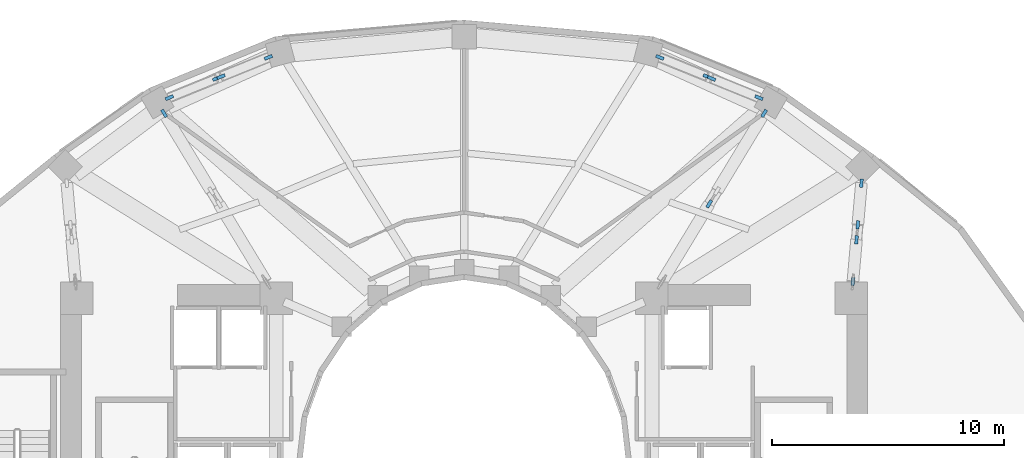
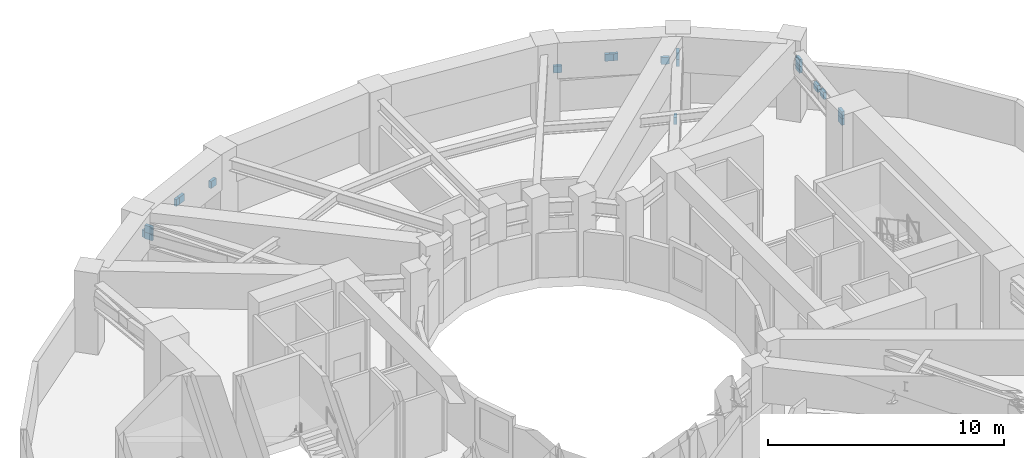
# One storey, part 7 of 10: 19 discrete accessories.
"""IFC4 building model written with IfcOpenShell, lengths in metres."""

import ifcopenshell
import ifcopenshell.guid

model = None  # the IFC model being written
_history = None  # IfcOwnerHistory: only IFC2X3 demands one
_inside = {}  # id of a spatial element -> (the spatial element, [elements in it])
_under = {}  # id of a project, library or spatial element -> (it, [spatial elements below it])
_declared = {}  # id of a project -> (the project, [libraries it declares])
_typed = {}  # id of a type object -> (the type object, [elements of that type])
_made_of = {}  # id of a material, layer set ... -> (it, [elements and type objects made of it])


def new_model(schema):
    """Start an empty IFC model of exactly this schema.

    Asked for "IFC4X3", IfcOpenShell would pick the latest addendum, in which some entities
    have other attributes; the version numbers below select the first issue.
    IFC2X3 requires an IfcOwnerHistory on every rooted entity: one is made here for all.
    """
    global model, _history
    if schema == "IFC4X3":
        model = ifcopenshell.file(schema_version=(4, 3, 0, 0))
    else:
        model = ifcopenshell.file(schema=schema)
    _inside.clear()
    _under.clear()
    _declared.clear()
    _typed.clear()
    _made_of.clear()
    _history = None
    if model.schema == "IFC2X3":
        org = make("IfcOrganization", Name="unknown")
        user = make(
            "IfcPersonAndOrganization",
            ThePerson=make("IfcPerson", FamilyName="unknown"),
            TheOrganization=org,
        )
        app = make(
            "IfcApplication",
            ApplicationDeveloper=org,
            Version="unknown",
            ApplicationFullName="unknown",
            ApplicationIdentifier="unknown",
        )
        _history = make(
            "IfcOwnerHistory",
            OwningUser=user,
            OwningApplication=app,
            ChangeAction="ADDED",
            CreationDate=0,
        )
    return model


def make(cls, **values):
    """One entity of the class cls with the attributes given. An attribute that is None is left unset."""
    return model.create_entity(
        cls, **{name: value for name, value in values.items() if value is not None}
    )


def rooted(cls, **values):
    """An entity with a GlobalId (a new one), such as an element, a storey or a relation."""
    return make(cls, GlobalId=ifcopenshell.guid.new(), OwnerHistory=_history, **values)


def si_unit(unit_type, name, prefix=None):
    """IfcSIUnit, for example si_unit("LENGTHUNIT", "METRE", prefix="MILLI")."""
    return make("IfcSIUnit", UnitType=unit_type, Prefix=prefix, Name=name)


def assignment(units):
    """IfcUnitAssignment: the units of a project."""
    return None if units is None else make("IfcUnitAssignment", Units=units)


def point(xyz):
    """IfcCartesianPoint."""
    return None if xyz is None else make("IfcCartesianPoint", Coordinates=xyz)


def direction(xyz):
    """IfcDirection."""
    return None if xyz is None else make("IfcDirection", DirectionRatios=xyz)


def frame(location, z_axis=None, x_axis=None):
    """IfcAxis2Placement3D, a coordinate frame: its origin and axes. An axis left out is left unset."""
    return make(
        "IfcAxis2Placement3D",
        Location=point(location),
        Axis=direction(z_axis),
        RefDirection=direction(x_axis),
    )


def frame_2d(location, x_axis=None):
    """IfcAxis2Placement2D, a coordinate frame in the plane: its origin and x axis."""
    return make(
        "IfcAxis2Placement2D", Location=point(location), RefDirection=direction(x_axis)
    )


def origin():
    """The frame at (0, 0, 0) with its axes left unset."""
    return frame((0.0, 0.0, 0.0))


def origin_2d():
    """The frame at (0, 0) in the plane with its x axis left unset."""
    return frame_2d((0.0, 0.0))


def place(relative_to, where):
    """IfcLocalPlacement: puts the frame where relative to a parent placement (None: the world)."""
    return make(
        "IfcLocalPlacement", PlacementRelTo=relative_to, RelativePlacement=where
    )


def context(
    kind, dimensions, precision=None, world=None, true_north=None, identifier=None
):
    """IfcGeometricRepresentationContext, for example the 3D "Model" context."""
    return make(
        "IfcGeometricRepresentationContext",
        ContextIdentifier=identifier,
        ContextType=kind,
        CoordinateSpaceDimension=dimensions,
        Precision=precision,
        WorldCoordinateSystem=world,
        TrueNorth=true_north,
    )


def subcontext(parent, identifier, kind, view, scale=None):
    """IfcGeometricRepresentationSubContext, for example "Body" below "Model"."""
    return make(
        "IfcGeometricRepresentationSubContext",
        ContextIdentifier=identifier,
        ContextType=kind,
        ParentContext=parent,
        TargetScale=scale,
        TargetView=view,
    )


def project(units=None, contexts=None):
    """IfcProject with its units and contexts."""
    return rooted(
        "IfcProject",
        Name="project",
        RepresentationContexts=contexts,
        UnitsInContext=assignment(units),
    )


def spatial(cls, under=None, at=None, **own):
    """A site, building, storey or space (cls), placed at a placement, below another one or the project."""
    s = rooted(cls, ObjectPlacement=at, **own)
    if under is not None:
        _under.setdefault(under.id(), (under, []))[1].append(s)
    return s


def profile(cls, at=None, kind="AREA", **sizes):
    """A parametric profile (cls). Its sizes go by their IFC names, for example OverallWidth=200.0."""
    return make(cls, ProfileType=kind, Position=at, **sizes)


def rectangle(**sizes):
    """IfcRectangleProfileDef."""
    return profile("IfcRectangleProfileDef", **sizes)


def extrude(swept, where, along, depth):
    """IfcExtrudedAreaSolid: the profile swept, set in the frame where, extruded along a direction by depth."""
    return make(
        "IfcExtrudedAreaSolid",
        SweptArea=swept,
        Position=where,
        ExtrudedDirection=direction(along),
        Depth=depth,
    )


def shape(context_of_items, identifier, shape_type, items):
    """IfcShapeRepresentation: the items that make up one representation, for example the "Body"."""
    return make(
        "IfcShapeRepresentation",
        ContextOfItems=context_of_items,
        RepresentationIdentifier=identifier,
        RepresentationType=shape_type,
        Items=items,
    )


def material(Name=None, Category=None):
    """IfcMaterial."""
    return make("IfcMaterial", Name=Name, Category=Category)


def layer(
    of_material, thickness, ventilated=None, Name=None, Category=None, Priority=None
):
    """IfcMaterialLayer: one layer of a wall or slab, of a material (None: an air gap)."""
    return make(
        "IfcMaterialLayer",
        Material=of_material,
        LayerThickness=thickness,
        IsVentilated=ventilated,
        Name=Name,
        Category=Category,
        Priority=Priority,
    )


def layer_set(layers, Name=None):
    """IfcMaterialLayerSet."""
    return make("IfcMaterialLayerSet", MaterialLayers=layers, LayerSetName=Name)


def made_of(thing, what):
    """Note that an element or type object is made of a material, layer set ...; save() writes the relation."""
    if what is not None:
        _made_of.setdefault(what.id(), (what, []))[1].append(thing)
    return thing


def type_object(cls, material=None, **own):
    """A type object (cls), such as IfcWallType, which elements share."""
    return made_of(rooted(cls, **own), material)


def element(
    cls,
    number,
    at=None,
    inside=None,
    cuts=None,
    type_object=None,
    material=None,
    context=None,
    identifier="Body",
    shape_type=None,
    held_by="IfcProductDefinitionShape",
    body=None,
    shapes=None,
    **own,
):
    """One element of the class cls, such as IfcWall. Its Tag is "e" and its number.

    at: its placement. inside: the storey or other place that contains it. cuts: it is an
    opening in that element (IfcRelVoidsElement). A single representation is given by context,
    identifier, shape_type and body (its items); several are given by shapes. held_by: the class
    of the entity that holds the representations. save() writes the other relations.
    """
    e = rooted(cls, Tag="e%d" % number, ObjectPlacement=at, **own)
    if body is not None:
        shapes = [shape(context, identifier, shape_type, body)]
    if shapes is not None:
        e.Representation = make(held_by, Representations=shapes)
    if inside is not None:
        _inside.setdefault(inside.id(), (inside, []))[1].append(e)
    if cuts is not None:
        rooted(
            "IfcRelVoidsElement", RelatingBuildingElement=cuts, RelatedOpeningElement=e
        )
    if type_object is not None:
        _typed.setdefault(type_object.id(), (type_object, []))[1].append(e)
    return made_of(e, material)


def aggregate(whole, parts):
    """IfcRelAggregates: a whole, such as a stair, and the parts it consists of."""
    return rooted("IfcRelAggregates", RelatingObject=whole, RelatedObjects=parts)


def save(model, path):
    """Write the relations noted so far, then the file.

    IfcRelAggregates (storeys below a building ...), IfcRelContainedInSpatialStructure (elements
    in a storey), IfcRelDefinesByType, IfcRelAssociatesMaterial and IfcRelDeclares: one each for
    every whole, place, type object, material and project.
    """
    for whole, parts in _under.values():
        aggregate(whole, parts)
    for where, things in _inside.values():
        rooted(
            "IfcRelContainedInSpatialStructure",
            RelatedElements=things,
            RelatingStructure=where,
        )
    for kind, things in _typed.values():
        rooted("IfcRelDefinesByType", RelatedObjects=things, RelatingType=kind)
    for what, things in _made_of.values():
        rooted("IfcRelAssociatesMaterial", RelatedObjects=things, RelatingMaterial=what)
    for by, libraries in _declared.values():
        rooted("IfcRelDeclares", RelatingContext=by, RelatedDefinitions=libraries)
    model.write(path)


model = new_model("IFC4")

# Units and contexts
model_context = context("Model", 3, precision=1e-05, world=origin(), true_north=direction((0.0, 1.0)))
body_context = subcontext(model_context, "Body", "Model", "MODEL_VIEW")
ifc_project = project(units=[si_unit("LENGTHUNIT", "METRE"), si_unit("AREAUNIT", "SQUARE_METRE"), si_unit("VOLUMEUNIT", "CUBIC_METRE"), si_unit("PLANEANGLEUNIT", "RADIAN"), si_unit("MASSUNIT", "GRAM", prefix="KILO")], contexts=[model_context])

# Site, building, storey
site_placement = place(None, origin())
site = spatial("IfcSite", under=ifc_project, at=site_placement, CompositionType="ELEMENT")
building_placement = place(site_placement, origin())
building = spatial("IfcBuilding", under=site, at=building_placement, Name="Solvane Sanctuary Tower", CompositionType="ELEMENT")
storey_placement = place(building_placement, frame((0.0, 0.0, 64.800048828125)))
storey = spatial("IfcBuildingStorey", under=building, at=storey_placement, Name="L19", CompositionType="ELEMENT", Elevation=64.800048828125)

# Discrete accessories
ifc_material = material(Name="Steel ASTM A572 Grade 50", Category="steel")
ifc_layer = layer(ifc_material, 0.360107421875, Name="Steel ASTM A572 Grade 50")
ifc_layer_set = layer_set([ifc_layer], Name="Steel ASTM A572 Grade 50")
discrete_accessory_type = type_object("IfcDiscreteAccessoryType", Name="Accessory ACC-GUSSET-BRK", PredefinedType="BRACKET", material=ifc_layer_set)
for number, where, z_axis, x_axis, name in (
    (1, (19.063720703125, 38.1767578125, 3.01953125), (0.0, 0.0, 1.0), (-0.518474806022, 0.855092904614, 0.0), "L19 Outrigger Truss Diagonal OW2 End Gusset Bracket B"),
    (2, (19.063720703125, 38.1767578125, 2.6796875), (0.0, 0.0, 1.0), (0.518474806022, -0.855092904614, 0.0), "L19 Outrigger Counter-Diagonal Lower Half OW2 End Gusset Bracket A"),
    (3, (48.76318359375, 30.9248046875, 2.68017578125), (0.0, 0.0, 1.0), (0.086807999895, 0.996225060493, 0.0), "L19 Outrigger Truss Diagonal OE1 End Gusset Bracket A"),
    (4, (49.13330078125, 35.16748046875, 3.0185546875), (0.0, 0.0, 1.0), (0.086807999895, 0.996225060493, 0.0), "L19 Outrigger Truss Diagonal OE1 End Gusset Bracket B"),
    (5, (49.13330078125, 35.16748046875, 2.68017578125), (0.0, 0.0, 1.0), (-0.086807999895, -0.996225060493, 0.0), "L19 Outrigger Counter-Diagonal Lower Half OE1 End Gusset Bracket A"),
    (6, (48.976318359375, 33.368896484375, 2.82373046875), (0.0, 0.0, 1.0), (-0.086807999895, -0.996225060493, 0.0), "L19 Outrigger Counter-Diagonal Lower Half OE1 End Gusset Bracket B"),
    (7, (48.919921875, 32.723388671875, 2.875), (0.0, 0.0, 1.0), (-0.086807999895, -0.996225060493, 0.0), "L19 Outrigger Counter-Diagonal Upper Half OE1 End Gusset Bracket A"),
    (8, (48.76318359375, 30.9248046875, 3.0185546875), (0.0, 0.0, 1.0), (-0.086807999895, -0.996225060493, 0.0), "L19 Outrigger Counter-Diagonal Upper Half OE1 End Gusset Bracket B"),
    (9, (44.936279296875, 38.1767578125, 3.01953125), (0.0, 0.0, 1.0), (0.518474806022, 0.855092904614, 0.0), "L19 Outrigger Truss Diagonal OE2 End Gusset Bracket B"),
    (10, (44.936279296875, 38.1767578125, 2.6796875), (0.0, 0.0, 1.0), (-0.518474806022, -0.855092904614, 0.0), "L19 Outrigger Counter-Diagonal Lower Half OE2 End Gusset Bracket A"),
    (11, (42.568603515625, 34.271484375, 2.8623046875), (0.0, 0.0, 1.0), (-0.518474806022, -0.855092904614, 0.0), "L19 Outrigger Counter-Diagonal Upper Half OE2 End Gusset Bracket A"),
    (12, (19.2880859375, 38.854248046875, 2.37060546875), (0.0, 0.0, 1.0), (0.926462953239, 0.376385967161, 0.0), "L19 Belt Truss Diagonal 06-05 End Gusset Bracket A"),
    (13, (21.328125, 39.683349609375, 2.77001953125), (0.0, 0.0, 1.0), (0.926462953239, 0.376385967161, 0.0), "L19 Belt Truss Diagonal 06-05 End Gusset Bracket B"),
    (14, (21.51953125, 39.760986328125, 2.77001953125), (0.0, 0.0, 1.0), (0.926397247385, 0.376547659716, 0.0), "L19 Belt Truss Web Strut 06-05 End Gusset Bracket A"),
    (15, (23.559814453125, 40.590087890625, 2.37060546875), (0.0, 0.0, 1.0), (0.926397247385, 0.376547659716, 0.0), "L19 Belt Truss Web Strut 06-05 End Gusset Bracket B"),
    (16, (40.440185546875, 40.590087890625, 2.37060546875), (0.0, 0.0, 1.0), (0.926397247385, -0.376547659716, 0.0), "L19 Belt Truss Diagonal 03-02 End Gusset Bracket A"),
    (17, (42.480224609375, 39.760986328125, 2.77001953125), (0.0, 0.0, 1.0), (0.926397247385, -0.376547659716, 0.0), "L19 Belt Truss Diagonal 03-02 End Gusset Bracket B"),
    (18, (42.671630859375, 39.683349609375, 2.77001953125), (0.0, 0.0, 1.0), (0.926462953239, -0.376385967161, 0.0), "L19 Belt Truss Web Strut 03-02 End Gusset Bracket A"),
    (19, (44.7119140625, 38.854248046875, 2.37060546875), (0.0, 0.0, 1.0), (0.926462953239, -0.376385967161, 0.0), "L19 Belt Truss Web Strut 03-02 End Gusset Bracket B"),
):
    element("IfcDiscreteAccessory", number, at=place(storey_placement, frame(where, z_axis=z_axis, x_axis=x_axis)), inside=storey, type_object=discrete_accessory_type, Name=name, PredefinedType="BRACKET", context=body_context, shape_type="SweptSolid", body=[
        extrude(rectangle(XDim=0.360107421875, YDim=0.139892578125, at=origin_2d()), origin(), (0.0, 0.0, 1.0), 0.360107421875),
    ])

save(model, "model.ifc")
